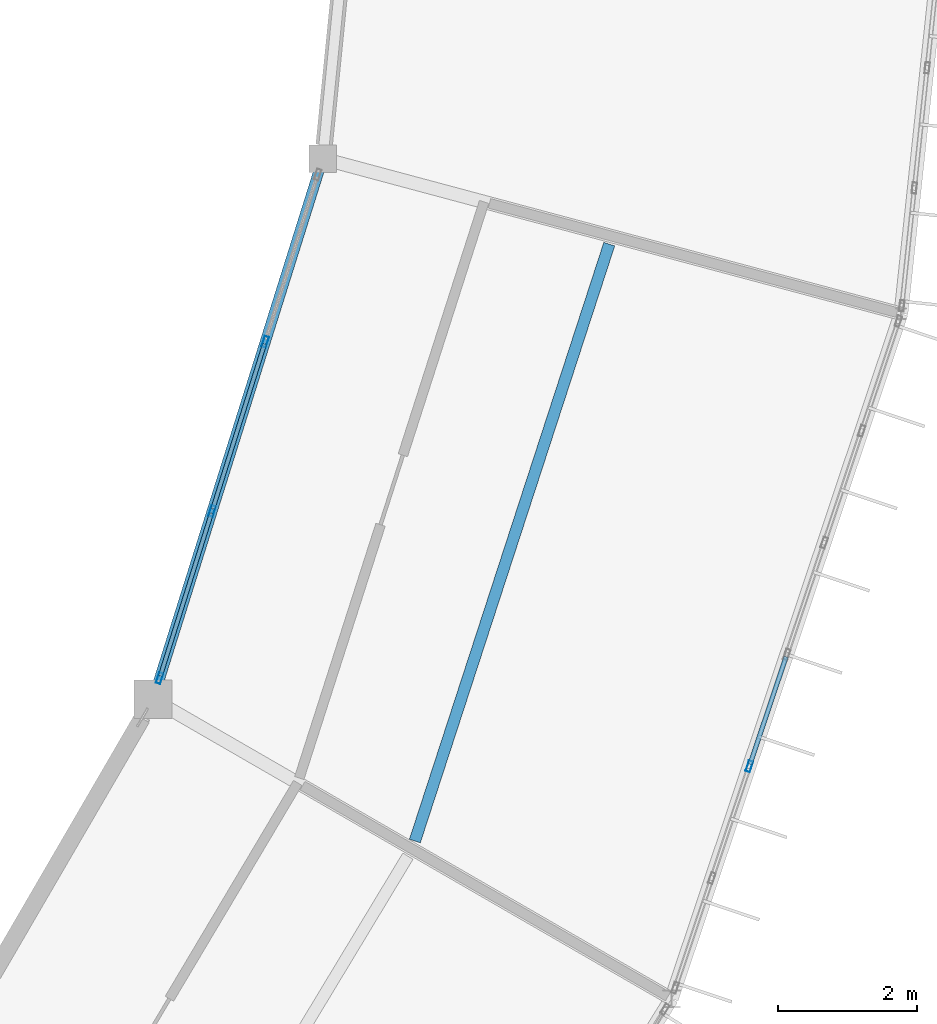
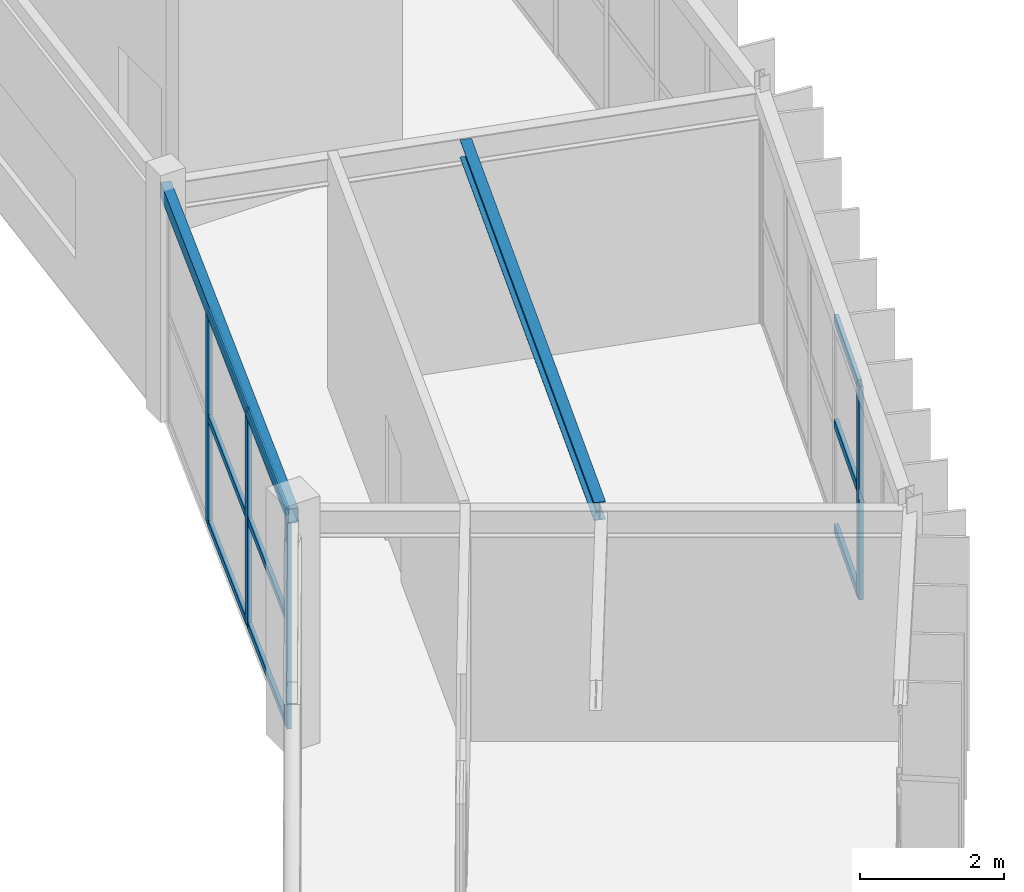
# One storey, part 55 of 130: 13 members, 2 beams, 2 elements without a shape of their own.
"""IFC4 building model written with IfcOpenShell, lengths in metres."""

from ifc_helpers import new_model, si_unit, direction, frame, origin, origin_2d, place, context, subcontext, project, spatial, hollow_rectangle, i_section, extrude, material, material_profile, profile_set, type_object, element, aggregate, save


model = new_model("IFC4")

# Units and contexts
model_context = context("Model", 3, precision=1e-05, world=origin(), true_north=direction((0.0, 1.0)))
body_context = subcontext(model_context, "Body", "Model", "MODEL_VIEW")
ifc_project = project(units=[si_unit("LENGTHUNIT", "METRE"), si_unit("AREAUNIT", "SQUARE_METRE"), si_unit("VOLUMEUNIT", "CUBIC_METRE"), si_unit("PLANEANGLEUNIT", "RADIAN"), si_unit("MASSUNIT", "GRAM", prefix="KILO")], contexts=[model_context])

# Site, building, storey
site_placement = place(None, origin())
site = spatial("IfcSite", under=ifc_project, at=site_placement, CompositionType="ELEMENT")
building_placement = place(site_placement, origin())
building = spatial("IfcBuilding", under=site, at=building_placement, Name="Karori Crest Natural Sciences Institute", CompositionType="ELEMENT")
storey_placement = place(building_placement, frame((0.0, 0.0, 17.5)))
storey = spatial("IfcBuildingStorey", under=building, at=storey_placement, Name="L04", CompositionType="ELEMENT", Elevation=17.5)

# Beams
ifc_material_1 = material(Name="Structural steel AS/NZS 3679.1 Grade 350", Category="steel")
ifc_material_profile_1 = material_profile(ifc_material_1, i_section(OverallWidth=0.1650390625, OverallDepth=0.303955078125, WebThickness=0.006103515625, FlangeThickness=0.01025390625, FilletRadius=0.010986328125, at=origin_2d()), Name="310UB40.4")
ifc_profile_set_1 = profile_set([ifc_material_profile_1], Name="Structural steel AS/NZS 3679.1 Grade 350")
beam_type_1 = type_object("IfcBeamType", Name="BT-10", PredefinedType="BEAM", material=ifc_profile_set_1)
beam_1_placement = place(storey_placement, frame((91.2919921875, 31.76416015625, 3.7880859375), z_axis=(0.309698753032, 0.950834729262, 0.0), x_axis=(-0.950834729262, 0.309698753032, 0.0)))
element("IfcBeam", 1, at=beam_1_placement, inside=storey, type_object=beam_type_1, Name="Beam B-0537", PredefinedType="BEAM", context=body_context, shape_type="SweptSolid", body=[
    extrude(i_section(OverallWidth=0.1650390625, OverallDepth=0.303955078125, WebThickness=0.006103515625, FlangeThickness=0.01025390625, FilletRadius=0.010986328125, at=origin_2d()), origin(), (0.0, 0.0, 1.0), 9.018310546875),
])
ifc_material_2 = material(Name="Hollow structural steel AS/NZS 1163 Grade C350", Category="steel")
ifc_material_profile_2 = material_profile(ifc_material_2, hollow_rectangle(XDim=0.14990234375, YDim=0.25, WallThickness=0.009033203125, at=origin_2d()), Name="RHS250x150x9")
ifc_profile_set_2 = profile_set([ifc_material_profile_2], Name="Hollow structural steel AS/NZS 1163 Grade C350")
beam_type_2 = type_object("IfcBeamType", Name="BT-16", PredefinedType="SPANDREL", material=ifc_profile_set_2)
beam_2_placement = place(storey_placement, frame((87.531005859375, 33.800048828125, 3.7900390625), z_axis=(0.299468576182, 0.954106163841, 0.0), x_axis=(-0.954106163841, 0.299468576182, 0.0)))
element("IfcBeam", 2, at=beam_2_placement, inside=storey, type_object=beam_type_2, Name="Beam B-0535", PredefinedType="SPANDREL", context=body_context, shape_type="SweptSolid", body=[
    extrude(hollow_rectangle(XDim=0.14990234375, YDim=0.25, WallThickness=0.009033203125, at=origin_2d()), origin(), (0.0, 0.0, 1.0), 8.139404296875),
])

# Curtain wall, member
ifc_material_3 = material(Name="Anodised architectural aluminium 6063-T6", Category="aluminium")
curtain_wall_type_1 = type_object("IfcCurtainWallType", Name="CWT-03", PredefinedType="NOTDEFINED", material=ifc_material_3)
curtain_wall_1_placement = place(storey_placement, origin())
curtain_wall_1 = element("IfcCurtainWall", 3, at=curtain_wall_1_placement, inside=storey, type_object=curtain_wall_type_1, Name="Curtain wall CW-0169", PredefinedType="NOTDEFINED")
ifc_material_profile_3 = material_profile(ifc_material_3, hollow_rectangle(XDim=0.06494140625, YDim=0.159912109375, WallThickness=0.00390625, at=origin_2d()), Name="CWM160x65x4")
ifc_profile_set_3 = profile_set([ifc_material_profile_3], Name="Anodised architectural aluminium 6063-T6")
member_type_1 = type_object("IfcMemberType", Name="CWM-01", PredefinedType="MULLION", material=ifc_profile_set_3)
member_1_placement = place(storey_placement, frame((96.096923828125, 32.837158203125, 0.0), z_axis=(0.0, 0.0, 1.0), x_axis=(0.94819805026, -0.317679803392, 0.0)))
member_1 = element("IfcMember", 4, at=member_1_placement, type_object=member_type_1, Name="CW-0169 mullion 5", PredefinedType="MULLION", context=body_context, shape_type="SweptSolid", body=[
    extrude(hollow_rectangle(XDim=0.06494140625, YDim=0.159912109375, WallThickness=0.00390625, at=origin_2d()), origin(), (0.0, 0.0, 1.0), 3.625),
])

# Curtain wall, members
curtain_wall_type_2 = type_object("IfcCurtainWallType", Name="CWT-13", PredefinedType="NOTDEFINED", material=ifc_material_3)
curtain_wall_2_placement = place(storey_placement, origin())
curtain_wall_2 = element("IfcCurtainWall", 5, at=curtain_wall_2_placement, inside=storey, type_object=curtain_wall_type_2, Name="Curtain wall CW-0170", PredefinedType="NOTDEFINED")
member_2_placement = place(storey_placement, frame((87.62646484375, 34.10400390625, 0.0), z_axis=(0.0, 0.0, 1.0), x_axis=(-0.954104067778, 0.299475254154, 0.0)))
member_2 = element("IfcMember", 6, at=member_2_placement, type_object=member_type_1, Name="CW-0170 mullion 1", PredefinedType="MULLION", context=body_context, shape_type="SweptSolid", body=[
    extrude(hollow_rectangle(XDim=0.06494140625, YDim=0.159912109375, WallThickness=0.00390625, at=origin_2d()), origin(), (0.0, 0.0, 1.0), 3.64990234375),
])
member_3_placement = place(storey_placement, frame((88.3798828125, 36.504638671875, 0.0), z_axis=(0.0, 0.0, 1.0), x_axis=(-0.954104067778, 0.299475254154, 0.0)))
member_3 = element("IfcMember", 7, at=member_3_placement, type_object=member_type_1, Name="CW-0170 mullion 2", PredefinedType="MULLION", context=body_context, shape_type="SweptSolid", body=[
    extrude(hollow_rectangle(XDim=0.06494140625, YDim=0.159912109375, WallThickness=0.00390625, at=origin_2d()), origin(), (0.0, 0.0, 1.0), 3.64990234375),
])
member_4_placement = place(storey_placement, frame((89.14306640625, 38.936279296875, 0.0), z_axis=(0.0, 0.0, 1.0), x_axis=(-0.954104067778, 0.299475254154, 0.0)))
member_4 = element("IfcMember", 8, at=member_4_placement, type_object=member_type_1, Name="CW-0170 mullion 3", PredefinedType="MULLION", context=body_context, shape_type="SweptSolid", body=[
    extrude(hollow_rectangle(XDim=0.06494140625, YDim=0.159912109375, WallThickness=0.00390625, at=origin_2d()), origin(), (0.0, 0.0, 1.0), 3.64990234375),
])
ifc_material_profile_4 = material_profile(ifc_material_3, hollow_rectangle(XDim=0.06005859375, YDim=0.1201171875, WallThickness=0.00390625, at=origin_2d()), Name="CWT120x60x4")
ifc_profile_set_4 = profile_set([ifc_material_profile_4], Name="Anodised architectural aluminium 6063-T6")
member_type_2 = type_object("IfcMemberType", Name="CWT-TR1", PredefinedType="USERDEFINED", material=ifc_profile_set_4)
member_5_placement = place(storey_placement, frame((87.63623046875, 34.135009765625, 0.030029296875), z_axis=(0.299414751752, 0.954123056232, 0.0), x_axis=(-0.954123056232, 0.299414751752, 0.0)))
member_5 = element("IfcMember", 9, at=member_5_placement, type_object=member_type_2, Name="CW-0170 transom 1.1", ObjectType="TRANSOM", PredefinedType="USERDEFINED", context=body_context, shape_type="SweptSolid", body=[
    extrude(hollow_rectangle(XDim=0.06005859375, YDim=0.1201171875, WallThickness=0.00390625, at=origin_2d()), origin(), (0.0, 0.0, 1.0), 2.451171875),
])
member_6_placement = place(storey_placement, frame((87.63623046875, 34.135009765625, 1.824951171875), z_axis=(0.299414751752, 0.954123056232, 0.0), x_axis=(-0.954123056232, 0.299414751752, 0.0)))
member_6 = element("IfcMember", 10, at=member_6_placement, type_object=member_type_2, Name="CW-0170 transom 1.2", ObjectType="TRANSOM", PredefinedType="USERDEFINED", context=body_context, shape_type="SweptSolid", body=[
    extrude(hollow_rectangle(XDim=0.06005859375, YDim=0.1201171875, WallThickness=0.00390625, at=origin_2d()), origin(), (0.0, 0.0, 1.0), 2.451171875),
])
member_7_placement = place(storey_placement, frame((87.63623046875, 34.135009765625, 3.6201171875), z_axis=(0.299414751752, 0.954123056232, 0.0), x_axis=(-0.954123056232, 0.299414751752, 0.0)))
member_7 = element("IfcMember", 11, at=member_7_placement, type_object=member_type_2, Name="CW-0170 transom 1.3", ObjectType="TRANSOM", PredefinedType="USERDEFINED", context=body_context, shape_type="SweptSolid", body=[
    extrude(hollow_rectangle(XDim=0.06005859375, YDim=0.1201171875, WallThickness=0.00390625, at=origin_2d()), origin(), (0.0, 0.0, 1.0), 2.451171875),
])
member_8_placement = place(storey_placement, frame((88.3896484375, 36.53564453125, 0.030029296875), z_axis=(0.299517296731, 0.954090870389, 0.0), x_axis=(-0.954090870389, 0.299517296731, 0.0)))
member_8 = element("IfcMember", 12, at=member_8_placement, type_object=member_type_2, Name="CW-0170 transom 2.1", ObjectType="TRANSOM", PredefinedType="USERDEFINED", context=body_context, shape_type="SweptSolid", body=[
    extrude(hollow_rectangle(XDim=0.06005859375, YDim=0.1201171875, WallThickness=0.00390625, at=origin_2d()), origin(), (0.0, 0.0, 1.0), 2.483642578125),
])
member_9_placement = place(storey_placement, frame((88.3896484375, 36.53564453125, 1.824951171875), z_axis=(0.299517296731, 0.954090870389, 0.0), x_axis=(-0.954090870389, 0.299517296731, 0.0)))
member_9 = element("IfcMember", 13, at=member_9_placement, type_object=member_type_2, Name="CW-0170 transom 2.2", ObjectType="TRANSOM", PredefinedType="USERDEFINED", context=body_context, shape_type="SweptSolid", body=[
    extrude(hollow_rectangle(XDim=0.06005859375, YDim=0.1201171875, WallThickness=0.00390625, at=origin_2d()), origin(), (0.0, 0.0, 1.0), 2.483642578125),
])
member_10_placement = place(storey_placement, frame((88.3896484375, 36.53564453125, 3.6201171875), z_axis=(0.299517296731, 0.954090870389, 0.0), x_axis=(-0.954090870389, 0.299517296731, 0.0)))
member_10 = element("IfcMember", 14, at=member_10_placement, type_object=member_type_2, Name="CW-0170 transom 2.3", ObjectType="TRANSOM", PredefinedType="USERDEFINED", context=body_context, shape_type="SweptSolid", body=[
    extrude(hollow_rectangle(XDim=0.06005859375, YDim=0.1201171875, WallThickness=0.00390625, at=origin_2d()), origin(), (0.0, 0.0, 1.0), 2.483642578125),
])
aggregate(curtain_wall_2, [member_2, member_3, member_4, member_5, member_6, member_7, member_8, member_9, member_10])

# Member
ifc_material_profile_5 = material_profile(ifc_material_3, hollow_rectangle(XDim=0.06494140625, YDim=0.14990234375, WallThickness=0.00390625, at=origin_2d()), Name="CWT150x65x4")
ifc_profile_set_5 = profile_set([ifc_material_profile_5], Name="Anodised architectural aluminium 6063-T6")
member_type_3 = type_object("IfcMemberType", Name="CWT-TR2", PredefinedType="USERDEFINED", material=ifc_profile_set_5)
member_11_placement = place(storey_placement, frame((96.62451171875, 34.412353515625, 0.032470703125), z_axis=(-0.317621421426, -0.948217608279, 0.0), x_axis=(0.948217608279, -0.317621421426, 0.0)))
member_11 = element("IfcMember", 15, at=member_11_placement, type_object=member_type_3, Name="CW-0169 transom 4.1", ObjectType="TRANSOM", PredefinedType="USERDEFINED", context=body_context, shape_type="SweptSolid", body=[
    extrude(hollow_rectangle(XDim=0.06494140625, YDim=0.14990234375, WallThickness=0.00390625, at=origin_2d()), origin(), (0.0, 0.0, 1.0), 1.628662109375),
])

member_12_placement = place(storey_placement, frame((96.62451171875, 34.412353515625, 1.8125), z_axis=(-0.317621421426, -0.948217608279, 0.0), x_axis=(0.948217608279, -0.317621421426, 0.0)))
member_12 = element("IfcMember", 16, at=member_12_placement, type_object=member_type_3, Name="CW-0169 transom 4.2", ObjectType="TRANSOM", PredefinedType="USERDEFINED", context=body_context, shape_type="SweptSolid", body=[
    extrude(hollow_rectangle(XDim=0.06494140625, YDim=0.14990234375, WallThickness=0.00390625, at=origin_2d()), origin(), (0.0, 0.0, 1.0), 1.628662109375),
])

member_13_placement = place(storey_placement, frame((96.62451171875, 34.412353515625, 3.592529296875), z_axis=(-0.317621421426, -0.948217608279, 0.0), x_axis=(0.948217608279, -0.317621421426, 0.0)))
member_13 = element("IfcMember", 17, at=member_13_placement, type_object=member_type_3, Name="CW-0169 transom 4.3", ObjectType="TRANSOM", PredefinedType="USERDEFINED", context=body_context, shape_type="SweptSolid", body=[
    extrude(hollow_rectangle(XDim=0.06494140625, YDim=0.14990234375, WallThickness=0.00390625, at=origin_2d()), origin(), (0.0, 0.0, 1.0), 1.628662109375),
])

aggregate(curtain_wall_1, [member_1, member_11, member_12, member_13])

save(model, "model.ifc")
